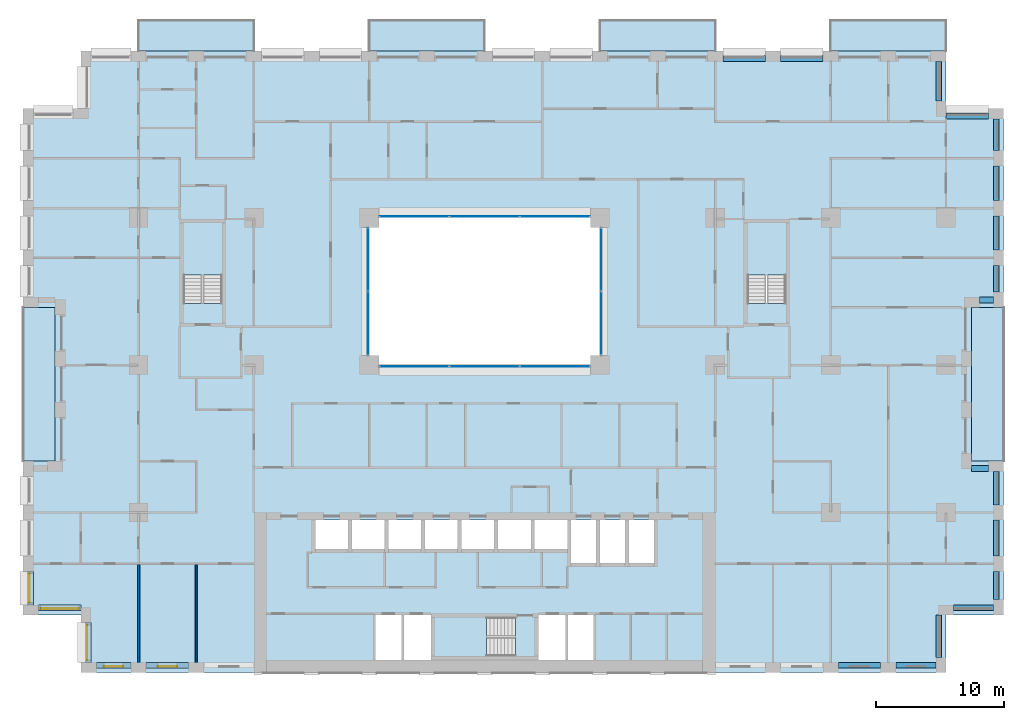
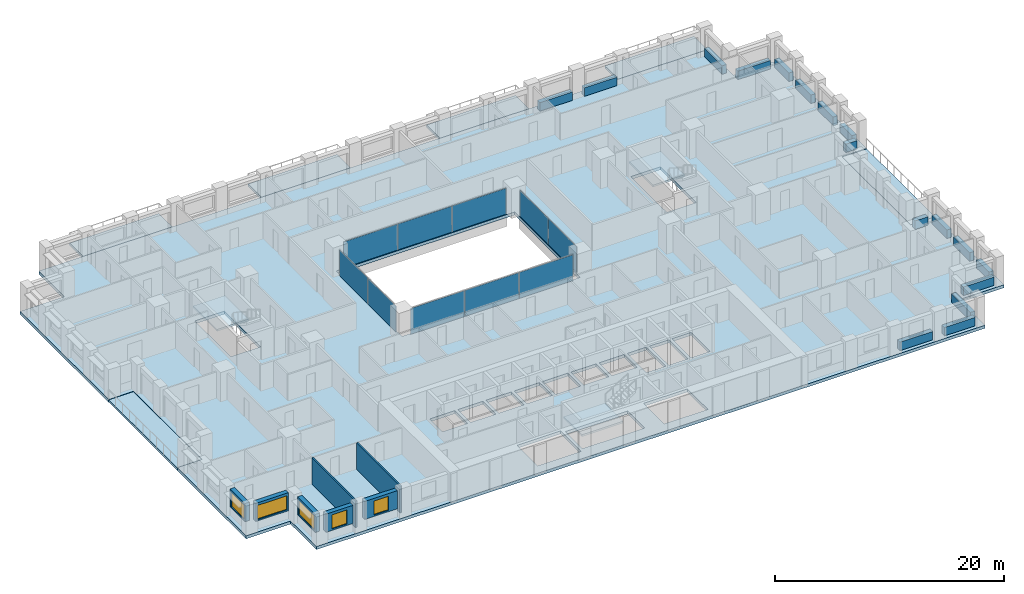
# One storey, part 8 of 20: 17 beams, 10 plates, 10 slabs, 7 walls, 5 windows, 5 openings, 7 elements without a shape of their own.
"""IFC4 building model written with IfcOpenShell, lengths in metres."""

import ifcopenshell
import ifcopenshell.guid

model = None  # the IFC model being written
_history = None  # IfcOwnerHistory: only IFC2X3 demands one
_inside = {}  # id of a spatial element -> (the spatial element, [elements in it])
_under = {}  # id of a project, library or spatial element -> (it, [spatial elements below it])
_declared = {}  # id of a project -> (the project, [libraries it declares])
_typed = {}  # id of a type object -> (the type object, [elements of that type])
_made_of = {}  # id of a material, layer set ... -> (it, [elements and type objects made of it])


def new_model(schema):
    """Start an empty IFC model of exactly this schema.

    Asked for "IFC4X3", IfcOpenShell would pick the latest addendum, in which some entities
    have other attributes; the version numbers below select the first issue.
    IFC2X3 requires an IfcOwnerHistory on every rooted entity: one is made here for all.
    """
    global model, _history
    if schema == "IFC4X3":
        model = ifcopenshell.file(schema_version=(4, 3, 0, 0))
    else:
        model = ifcopenshell.file(schema=schema)
    _inside.clear()
    _under.clear()
    _declared.clear()
    _typed.clear()
    _made_of.clear()
    _history = None
    if model.schema == "IFC2X3":
        org = make("IfcOrganization", Name="unknown")
        user = make(
            "IfcPersonAndOrganization",
            ThePerson=make("IfcPerson", FamilyName="unknown"),
            TheOrganization=org,
        )
        app = make(
            "IfcApplication",
            ApplicationDeveloper=org,
            Version="unknown",
            ApplicationFullName="unknown",
            ApplicationIdentifier="unknown",
        )
        _history = make(
            "IfcOwnerHistory",
            OwningUser=user,
            OwningApplication=app,
            ChangeAction="ADDED",
            CreationDate=0,
        )
    return model


def make(cls, **values):
    """One entity of the class cls with the attributes given. An attribute that is None is left unset."""
    return model.create_entity(
        cls, **{name: value for name, value in values.items() if value is not None}
    )


def rooted(cls, **values):
    """An entity with a GlobalId (a new one), such as an element, a storey or a relation."""
    return make(cls, GlobalId=ifcopenshell.guid.new(), OwnerHistory=_history, **values)


def si_unit(unit_type, name, prefix=None):
    """IfcSIUnit, for example si_unit("LENGTHUNIT", "METRE", prefix="MILLI")."""
    return make("IfcSIUnit", UnitType=unit_type, Prefix=prefix, Name=name)


def assignment(units):
    """IfcUnitAssignment: the units of a project."""
    return None if units is None else make("IfcUnitAssignment", Units=units)


def point(xyz):
    """IfcCartesianPoint."""
    return None if xyz is None else make("IfcCartesianPoint", Coordinates=xyz)


def direction(xyz):
    """IfcDirection."""
    return None if xyz is None else make("IfcDirection", DirectionRatios=xyz)


def frame(location, z_axis=None, x_axis=None):
    """IfcAxis2Placement3D, a coordinate frame: its origin and axes. An axis left out is left unset."""
    return make(
        "IfcAxis2Placement3D",
        Location=point(location),
        Axis=direction(z_axis),
        RefDirection=direction(x_axis),
    )


def frame_2d(location, x_axis=None):
    """IfcAxis2Placement2D, a coordinate frame in the plane: its origin and x axis."""
    return make(
        "IfcAxis2Placement2D", Location=point(location), RefDirection=direction(x_axis)
    )


def origin():
    """The frame at (0, 0, 0) with its axes left unset."""
    return frame((0.0, 0.0, 0.0))


def origin_2d():
    """The frame at (0, 0) in the plane with its x axis left unset."""
    return frame_2d((0.0, 0.0))


def place(relative_to, where):
    """IfcLocalPlacement: puts the frame where relative to a parent placement (None: the world)."""
    return make(
        "IfcLocalPlacement", PlacementRelTo=relative_to, RelativePlacement=where
    )


def context(
    kind, dimensions, precision=None, world=None, true_north=None, identifier=None
):
    """IfcGeometricRepresentationContext, for example the 3D "Model" context."""
    return make(
        "IfcGeometricRepresentationContext",
        ContextIdentifier=identifier,
        ContextType=kind,
        CoordinateSpaceDimension=dimensions,
        Precision=precision,
        WorldCoordinateSystem=world,
        TrueNorth=true_north,
    )


def subcontext(parent, identifier, kind, view, scale=None):
    """IfcGeometricRepresentationSubContext, for example "Body" below "Model"."""
    return make(
        "IfcGeometricRepresentationSubContext",
        ContextIdentifier=identifier,
        ContextType=kind,
        ParentContext=parent,
        TargetScale=scale,
        TargetView=view,
    )


def project(units=None, contexts=None):
    """IfcProject with its units and contexts."""
    return rooted(
        "IfcProject",
        Name="project",
        RepresentationContexts=contexts,
        UnitsInContext=assignment(units),
    )


def spatial(cls, under=None, at=None, **own):
    """A site, building, storey or space (cls), placed at a placement, below another one or the project."""
    s = rooted(cls, ObjectPlacement=at, **own)
    if under is not None:
        _under.setdefault(under.id(), (under, []))[1].append(s)
    return s


def polyline(points):
    """IfcPolyline through the points."""
    return make("IfcPolyline", Points=[point(p) for p in points])


def profile(cls, at=None, kind="AREA", **sizes):
    """A parametric profile (cls). Its sizes go by their IFC names, for example OverallWidth=200.0."""
    return make(cls, ProfileType=kind, Position=at, **sizes)


def rectangle(**sizes):
    """IfcRectangleProfileDef."""
    return profile("IfcRectangleProfileDef", **sizes)


def outline(outer, holes=None, kind="AREA"):
    """IfcArbitraryClosedProfileDef: a profile drawn as a closed curve; with holes, ...WithVoids."""
    if holes is None:
        return make("IfcArbitraryClosedProfileDef", ProfileType=kind, OuterCurve=outer)
    return make(
        "IfcArbitraryProfileDefWithVoids",
        ProfileType=kind,
        OuterCurve=outer,
        InnerCurves=holes,
    )


def extrude(swept, where, along, depth):
    """IfcExtrudedAreaSolid: the profile swept, set in the frame where, extruded along a direction by depth."""
    return make(
        "IfcExtrudedAreaSolid",
        SweptArea=swept,
        Position=where,
        ExtrudedDirection=direction(along),
        Depth=depth,
    )


def shape(context_of_items, identifier, shape_type, items):
    """IfcShapeRepresentation: the items that make up one representation, for example the "Body"."""
    return make(
        "IfcShapeRepresentation",
        ContextOfItems=context_of_items,
        RepresentationIdentifier=identifier,
        RepresentationType=shape_type,
        Items=items,
    )


def material(Name=None, Category=None):
    """IfcMaterial."""
    return make("IfcMaterial", Name=Name, Category=Category)


def layer(
    of_material, thickness, ventilated=None, Name=None, Category=None, Priority=None
):
    """IfcMaterialLayer: one layer of a wall or slab, of a material (None: an air gap)."""
    return make(
        "IfcMaterialLayer",
        Material=of_material,
        LayerThickness=thickness,
        IsVentilated=ventilated,
        Name=Name,
        Category=Category,
        Priority=Priority,
    )


def layer_set(layers, Name=None):
    """IfcMaterialLayerSet."""
    return make("IfcMaterialLayerSet", MaterialLayers=layers, LayerSetName=Name)


def material_profile(
    of_material, cross_section, Name=None, Category=None, Priority=None
):
    """IfcMaterialProfile: a cross section and its material."""
    return make(
        "IfcMaterialProfile",
        Name=Name,
        Material=of_material,
        Profile=cross_section,
        Priority=Priority,
        Category=Category,
    )


def profile_set(profiles, Name=None, composite=None):
    """IfcMaterialProfileSet."""
    return make(
        "IfcMaterialProfileSet",
        Name=Name,
        MaterialProfiles=profiles,
        CompositeProfile=composite,
    )


def made_of(thing, what):
    """Note that an element or type object is made of a material, layer set ...; save() writes the relation."""
    if what is not None:
        _made_of.setdefault(what.id(), (what, []))[1].append(thing)
    return thing


def type_object(cls, material=None, **own):
    """A type object (cls), such as IfcWallType, which elements share."""
    return made_of(rooted(cls, **own), material)


def element(
    cls,
    number,
    at=None,
    inside=None,
    cuts=None,
    type_object=None,
    material=None,
    context=None,
    identifier="Body",
    shape_type=None,
    held_by="IfcProductDefinitionShape",
    body=None,
    shapes=None,
    **own,
):
    """One element of the class cls, such as IfcWall. Its Tag is "e" and its number.

    at: its placement. inside: the storey or other place that contains it. cuts: it is an
    opening in that element (IfcRelVoidsElement). A single representation is given by context,
    identifier, shape_type and body (its items); several are given by shapes. held_by: the class
    of the entity that holds the representations. save() writes the other relations.
    """
    e = rooted(cls, Tag="e%d" % number, ObjectPlacement=at, **own)
    if body is not None:
        shapes = [shape(context, identifier, shape_type, body)]
    if shapes is not None:
        e.Representation = make(held_by, Representations=shapes)
    if inside is not None:
        _inside.setdefault(inside.id(), (inside, []))[1].append(e)
    if cuts is not None:
        rooted(
            "IfcRelVoidsElement", RelatingBuildingElement=cuts, RelatedOpeningElement=e
        )
    if type_object is not None:
        _typed.setdefault(type_object.id(), (type_object, []))[1].append(e)
    return made_of(e, material)


def fill(opening, filler):
    """IfcRelFillsElement: the door or window that sits in an opening."""
    return rooted(
        "IfcRelFillsElement",
        RelatingOpeningElement=opening,
        RelatedBuildingElement=filler,
    )


def aggregate(whole, parts):
    """IfcRelAggregates: a whole, such as a stair, and the parts it consists of."""
    return rooted("IfcRelAggregates", RelatingObject=whole, RelatedObjects=parts)


def save(model, path):
    """Write the relations noted so far, then the file.

    IfcRelAggregates (storeys below a building ...), IfcRelContainedInSpatialStructure (elements
    in a storey), IfcRelDefinesByType, IfcRelAssociatesMaterial and IfcRelDeclares: one each for
    every whole, place, type object, material and project.
    """
    for whole, parts in _under.values():
        aggregate(whole, parts)
    for where, things in _inside.values():
        rooted(
            "IfcRelContainedInSpatialStructure",
            RelatedElements=things,
            RelatingStructure=where,
        )
    for kind, things in _typed.values():
        rooted("IfcRelDefinesByType", RelatedObjects=things, RelatingType=kind)
    for what, things in _made_of.values():
        rooted("IfcRelAssociatesMaterial", RelatedObjects=things, RelatingMaterial=what)
    for by, libraries in _declared.values():
        rooted("IfcRelDeclares", RelatingContext=by, RelatedDefinitions=libraries)
    model.write(path)


model = new_model("IFC4")

# Units and contexts
model_context = context("Model", 3, precision=1e-05, world=origin(), true_north=direction((0.0, 1.0)))
body_context = subcontext(model_context, "Body", "Model", "MODEL_VIEW")
ifc_project = project(units=[si_unit("LENGTHUNIT", "METRE"), si_unit("AREAUNIT", "SQUARE_METRE"), si_unit("VOLUMEUNIT", "CUBIC_METRE"), si_unit("PLANEANGLEUNIT", "RADIAN"), si_unit("MASSUNIT", "GRAM", prefix="KILO")], contexts=[model_context])

# Site, building, storey
site_placement = place(None, origin())
site = spatial("IfcSite", under=ifc_project, at=site_placement, CompositionType="ELEMENT")
building_placement = place(site_placement, origin())
building = spatial("IfcBuilding", under=site, at=building_placement, Name="Brigalow Station Residences", CompositionType="ELEMENT")
storey_placement = place(building_placement, frame((0.0, 0.0, 60.449951171875)))
storey = spatial("IfcBuildingStorey", under=building, at=storey_placement, Name="L17", CompositionType="ELEMENT", Elevation=60.449951171875)

# Beams
ifc_material_1 = material(Name="Concrete C65", Category="concrete")
ifc_material_profile = material_profile(ifc_material_1, rectangle(XDim=0.449951171875, YDim=0.89990234375, at=origin_2d()), Name="RC450x900")
ifc_profile_set = profile_set([ifc_material_profile], Name="Concrete C65")
beam_type = type_object("IfcBeamType", Name="SPANDREL BEAM 450x900 C65", PredefinedType="SPANDREL", material=ifc_profile_set)
beam_1_placement = place(storey_placement, frame((63.60009765625, 0.574951171875, 0.449951171875), z_axis=(1.0, 0.0, 0.0), x_axis=(0.0, 1.0, 0.0)))
element("IfcBeam", 1, at=beam_1_placement, inside=storey, type_object=beam_type, Name="L17/spandrel/W-L17-7", PredefinedType="SPANDREL", context=body_context, shape_type="SweptSolid", body=[
    extrude(rectangle(XDim=0.449951171875, YDim=0.89990234375, at=origin_2d()), origin(), (0.0, 0.0, 1.0), 3.2998046875),
])
beam_2_placement = place(storey_placement, frame((68.10009765625, 0.574951171875, 0.449951171875), z_axis=(1.0, 0.0, 0.0), x_axis=(0.0, 1.0, 0.0)))
element("IfcBeam", 2, at=beam_2_placement, inside=storey, type_object=beam_type, Name="L17/spandrel/W-L17-8", PredefinedType="SPANDREL", context=body_context, shape_type="SweptSolid", body=[
    extrude(rectangle(XDim=0.449951171875, YDim=0.89990234375, at=origin_2d()), origin(), (0.0, 0.0, 1.0), 3.099853515625),
])
beam_3_placement = place(storey_placement, frame((71.425048828125, 1.199951171875, 0.449951171875), z_axis=(0.0, 1.0, 0.0), x_axis=(-1.0, 0.0, 0.0)))
element("IfcBeam", 3, at=beam_3_placement, inside=storey, type_object=beam_type, Name="L17/spandrel/W-L17-9", PredefinedType="SPANDREL", context=body_context, shape_type="SweptSolid", body=[
    extrude(rectangle(XDim=0.449951171875, YDim=0.89990234375, at=origin_2d()), origin(), (0.0, 0.0, 1.0), 3.300048828125),
])
beam_4_placement = place(storey_placement, frame((72.60009765625, 5.074951171875, 0.449951171875), z_axis=(1.0, 0.0, 0.0), x_axis=(0.0, 1.0, 0.0)))
element("IfcBeam", 4, at=beam_4_placement, inside=storey, type_object=beam_type, Name="L17/spandrel/W-L17-10", PredefinedType="SPANDREL", context=body_context, shape_type="SweptSolid", body=[
    extrude(rectangle(XDim=0.449951171875, YDim=0.89990234375, at=origin_2d()), origin(), (0.0, 0.0, 1.0), 3.099853515625),
])
beam_5_placement = place(storey_placement, frame((75.925048828125, 5.699951171875, 0.449951171875), z_axis=(0.0, 1.0, 0.0), x_axis=(-1.0, 0.0, 0.0)))
element("IfcBeam", 5, at=beam_5_placement, inside=storey, type_object=beam_type, Name="L17/spandrel/W-L17-11", PredefinedType="SPANDREL", context=body_context, shape_type="SweptSolid", body=[
    extrude(rectangle(XDim=0.449951171875, YDim=0.89990234375, at=origin_2d()), origin(), (0.0, 0.0, 1.0), 2.199951171875),
])
beam_6_placement = place(storey_placement, frame((75.925048828125, 9.10009765625, 0.449951171875), z_axis=(0.0, 1.0, 0.0), x_axis=(-1.0, 0.0, 0.0)))
element("IfcBeam", 6, at=beam_6_placement, inside=storey, type_object=beam_type, Name="L17/spandrel/W-L17-12", PredefinedType="SPANDREL", context=body_context, shape_type="SweptSolid", body=[
    extrude(rectangle(XDim=0.449951171875, YDim=0.89990234375, at=origin_2d()), origin(), (0.0, 0.0, 1.0), 2.7998046875),
])
beam_7_placement = place(storey_placement, frame((75.925048828125, 13.10009765625, 0.449951171875), z_axis=(0.0, 1.0, 0.0), x_axis=(-1.0, 0.0, 0.0)))
element("IfcBeam", 7, at=beam_7_placement, inside=storey, type_object=beam_type, Name="L17/spandrel/W-L17-13", PredefinedType="SPANDREL", context=body_context, shape_type="SweptSolid", body=[
    extrude(rectangle(XDim=0.449951171875, YDim=0.89990234375, at=origin_2d()), origin(), (0.0, 0.0, 1.0), 2.599853515625),
])
beam_8_placement = place(storey_placement, frame((75.300048828125, 15.925048828125, 0.449951171875), z_axis=(-1.0, 0.0, 0.0), x_axis=(0.0, -1.0, 0.0)))
element("IfcBeam", 8, at=beam_8_placement, inside=storey, type_object=beam_type, Name="L17/spandrel/W-L17-14", PredefinedType="SPANDREL", context=body_context, shape_type="SweptSolid", body=[
    extrude(rectangle(XDim=0.449951171875, YDim=0.89990234375, at=origin_2d()), origin(), (0.0, 0.0, 1.0), 1.300048828125),
])
beam_9_placement = place(storey_placement, frame((74.60009765625, 29.074951171875, 0.449951171875), z_axis=(1.0, 0.0, 0.0), x_axis=(0.0, 1.0, 0.0)))
element("IfcBeam", 9, at=beam_9_placement, inside=storey, type_object=beam_type, Name="L17/spandrel/W-L17-18", PredefinedType="SPANDREL", context=body_context, shape_type="SweptSolid", body=[
    extrude(rectangle(XDim=0.449951171875, YDim=0.89990234375, at=origin_2d()), origin(), (0.0, 0.0, 1.0), 1.099853515625),
])
beam_10_placement = place(storey_placement, frame((75.925048828125, 29.699951171875, 0.449951171875), z_axis=(0.0, 1.0, 0.0), x_axis=(-1.0, 0.0, 0.0)))
element("IfcBeam", 10, at=beam_10_placement, inside=storey, type_object=beam_type, Name="L17/spandrel/W-L17-19", PredefinedType="SPANDREL", context=body_context, shape_type="SweptSolid", body=[
    extrude(rectangle(XDim=0.449951171875, YDim=0.89990234375, at=origin_2d()), origin(), (0.0, 0.0, 1.0), 2.074951171875),
])
for number, where, z_axis, x_axis, name in (
    (11, (75.925048828125, 32.97509765625, 0.449951171875), (0.0, 1.0, 0.0), (-1.0, 0.0, 0.0), "L17/spandrel/W-L17-20"),
    (12, (75.925048828125, 36.85009765625, 0.449951171875), (0.0, 1.0, 0.0), (-1.0, 0.0, 0.0), "L17/spandrel/W-L17-21"),
):
    element("IfcBeam", number, at=place(storey_placement, frame(where, z_axis=z_axis, x_axis=x_axis)), inside=storey, type_object=beam_type, Name=name, PredefinedType="SPANDREL", context=body_context, shape_type="SweptSolid", body=[
        extrude(rectangle(XDim=0.449951171875, YDim=0.89990234375, at=origin_2d()), origin(), (0.0, 0.0, 1.0), 2.6748046875),
    ])
beam_11_placement = place(storey_placement, frame((75.925048828125, 40.72509765625, 0.449951171875), z_axis=(0.0, 1.0, 0.0), x_axis=(-1.0, 0.0, 0.0)))
element("IfcBeam", 13, at=beam_11_placement, inside=storey, type_object=beam_type, Name="L17/spandrel/W-L17-22", PredefinedType="SPANDREL", context=body_context, shape_type="SweptSolid", body=[
    extrude(rectangle(XDim=0.449951171875, YDim=0.89990234375, at=origin_2d()), origin(), (0.0, 0.0, 1.0), 2.474853515625),
])
beam_12_placement = place(storey_placement, frame((75.300048828125, 43.425048828125, 0.449951171875), z_axis=(-1.0, 0.0, 0.0), x_axis=(0.0, -1.0, 0.0)))
element("IfcBeam", 14, at=beam_12_placement, inside=storey, type_object=beam_type, Name="L17/spandrel/W-L17-23", PredefinedType="SPANDREL", context=body_context, shape_type="SweptSolid", body=[
    extrude(rectangle(XDim=0.449951171875, YDim=0.89990234375, at=origin_2d()), origin(), (0.0, 0.0, 1.0), 3.300048828125),
])
beam_13_placement = place(storey_placement, frame((71.425048828125, 44.60009765625, 0.449951171875), z_axis=(0.0, 1.0, 0.0), x_axis=(-1.0, 0.0, 0.0)))
element("IfcBeam", 15, at=beam_13_placement, inside=storey, type_object=beam_type, Name="L17/spandrel/W-L17-24", PredefinedType="SPANDREL", context=body_context, shape_type="SweptSolid", body=[
    extrude(rectangle(XDim=0.449951171875, YDim=0.89990234375, at=origin_2d()), origin(), (0.0, 0.0, 1.0), 3.099853515625),
])
for number, where, z_axis, x_axis, name in (
    (16, (62.39990234375, 47.925048828125, 0.449951171875), (-1.0, 0.0, 0.0), (0.0, -1.0, 0.0), "L17/spandrel/W-L17-27"),
    (17, (57.89990234375, 47.925048828125, 0.449951171875), (-1.0, 0.0, 0.0), (0.0, -1.0, 0.0), "L17/spandrel/W-L17-28"),
):
    element("IfcBeam", number, at=place(storey_placement, frame(where, z_axis=z_axis, x_axis=x_axis)), inside=storey, type_object=beam_type, Name=name, PredefinedType="SPANDREL", context=body_context, shape_type="SweptSolid", body=[
        extrude(rectangle(XDim=0.449951171875, YDim=0.89990234375, at=origin_2d()), origin(), (0.0, 0.0, 1.0), 3.2998046875),
    ])

# Curtain wall, plates
ifc_material_2 = material(Name="Aluminium", Category="aluminium")
ifc_layer_1 = layer(ifc_material_2, 0.14990234375)
ifc_layer_set_1 = layer_set([ifc_layer_1], Name="ATRIUM FIRE-RATED GLAZING CURTAIN WALL")
curtain_wall_type = type_object("IfcCurtainWallType", Name="ATRIUM FIRE-RATED GLAZING CURTAIN WALL", PredefinedType="NOTDEFINED", material=ifc_layer_set_1)
curtain_wall_1_placement = place(storey_placement, origin())
curtain_wall_1 = element("IfcCurtainWall", 18, at=curtain_wall_1_placement, inside=storey, type_object=curtain_wall_type, Name="L17/cw/atrium-S", PredefinedType="NOTDEFINED")
ifc_material_3 = material(Name="Fire-resisting laminated glazing, FRL -/60/-", Category="glass")
ifc_layer_2 = layer(ifc_material_3, 0.031982421875)
ifc_layer_set_2 = layer_set([ifc_layer_2], Name="ATRIUM FIRE-RATED GLAZING PANEL 32")
plate_type = type_object("IfcPlateType", Name="ATRIUM FIRE-RATED GLAZING PANEL 32", PredefinedType="CURTAIN_PANEL", material=ifc_layer_set_2)
plate_1_placement = place(storey_placement, frame((30.514892578125, 23.89990234375, 0.0), z_axis=(0.0, 0.0, 1.0), x_axis=(1.0, 0.0, 0.0)))
plate_1 = element("IfcPlate", 19, at=plate_1_placement, type_object=plate_type, Name="L17/cw/atrium-S/P00-00", PredefinedType="CURTAIN_PANEL", context=body_context, shape_type="SweptSolid", body=[
    extrude(rectangle(XDim=5.409912109375, YDim=0.031982421875, at=origin_2d()), origin(), (0.0, 0.0, 1.0), 2.77001953125),
])
plate_2_placement = place(storey_placement, frame((36.0, 23.89990234375, 0.0), z_axis=(0.0, 0.0, 1.0), x_axis=(1.0, 0.0, 0.0)))
plate_2 = element("IfcPlate", 20, at=plate_2_placement, type_object=plate_type, Name="L17/cw/atrium-S/P01-00", PredefinedType="CURTAIN_PANEL", context=body_context, shape_type="SweptSolid", body=[
    extrude(rectangle(XDim=5.43994140625, YDim=0.031982421875, at=origin_2d()), origin(), (0.0, 0.0, 1.0), 2.77001953125),
])
plate_3_placement = place(storey_placement, frame((41.485107421875, 23.89990234375, 0.0), z_axis=(0.0, 0.0, 1.0), x_axis=(1.0, 0.0, 0.0)))
plate_3 = element("IfcPlate", 21, at=plate_3_placement, type_object=plate_type, Name="L17/cw/atrium-S/P02-00", PredefinedType="CURTAIN_PANEL", context=body_context, shape_type="SweptSolid", body=[
    extrude(rectangle(XDim=5.409912109375, YDim=0.031982421875, at=origin_2d()), origin(), (0.0, 0.0, 1.0), 2.77001953125),
])
aggregate(curtain_wall_1, [plate_1, plate_2, plate_3])

curtain_wall_2_placement = place(storey_placement, origin())
curtain_wall_2 = element("IfcCurtainWall", 22, at=curtain_wall_2_placement, inside=storey, type_object=curtain_wall_type, Name="L17/cw/atrium-E", PredefinedType="NOTDEFINED")
plate_4_placement = place(storey_placement, frame((45.10009765625, 27.264892578125, 0.0), z_axis=(0.0, 0.0, 1.0), x_axis=(0.0, 1.0, 0.0)))
plate_4 = element("IfcPlate", 23, at=plate_4_placement, type_object=plate_type, Name="L17/cw/atrium-E/P00-00", PredefinedType="CURTAIN_PANEL", context=body_context, shape_type="SweptSolid", body=[
    extrude(rectangle(XDim=4.909912109375, YDim=0.031982421875, at=origin_2d()), origin(), (0.0, 0.0, 1.0), 2.77001953125),
])
plate_5_placement = place(storey_placement, frame((45.10009765625, 32.235107421875, 0.0), z_axis=(0.0, 0.0, 1.0), x_axis=(0.0, 1.0, 0.0)))
plate_5 = element("IfcPlate", 24, at=plate_5_placement, type_object=plate_type, Name="L17/cw/atrium-E/P01-00", PredefinedType="CURTAIN_PANEL", context=body_context, shape_type="SweptSolid", body=[
    extrude(rectangle(XDim=4.909912109375, YDim=0.031982421875, at=origin_2d()), origin(), (0.0, 0.0, 1.0), 2.77001953125),
])
aggregate(curtain_wall_2, [plate_4, plate_5])

curtain_wall_3_placement = place(storey_placement, origin())
curtain_wall_3 = element("IfcCurtainWall", 25, at=curtain_wall_3_placement, inside=storey, type_object=curtain_wall_type, Name="L17/cw/atrium-N", PredefinedType="NOTDEFINED")
plate_6_placement = place(storey_placement, frame((41.485107421875, 35.60009765625, 0.0), z_axis=(0.0, 0.0, 1.0), x_axis=(-1.0, 0.0, 0.0)))
plate_6 = element("IfcPlate", 26, at=plate_6_placement, type_object=plate_type, Name="L17/cw/atrium-N/P00-00", PredefinedType="CURTAIN_PANEL", context=body_context, shape_type="SweptSolid", body=[
    extrude(rectangle(XDim=5.409912109375, YDim=0.031982421875, at=origin_2d()), origin(), (0.0, 0.0, 1.0), 2.77001953125),
])
plate_7_placement = place(storey_placement, frame((36.0, 35.60009765625, 0.0), z_axis=(0.0, 0.0, 1.0), x_axis=(-1.0, 0.0, 0.0)))
plate_7 = element("IfcPlate", 27, at=plate_7_placement, type_object=plate_type, Name="L17/cw/atrium-N/P01-00", PredefinedType="CURTAIN_PANEL", context=body_context, shape_type="SweptSolid", body=[
    extrude(rectangle(XDim=5.43994140625, YDim=0.031982421875, at=origin_2d()), origin(), (0.0, 0.0, 1.0), 2.77001953125),
])
plate_8_placement = place(storey_placement, frame((30.514892578125, 35.60009765625, 0.0), z_axis=(0.0, 0.0, 1.0), x_axis=(-1.0, 0.0, 0.0)))
plate_8 = element("IfcPlate", 28, at=plate_8_placement, type_object=plate_type, Name="L17/cw/atrium-N/P02-00", PredefinedType="CURTAIN_PANEL", context=body_context, shape_type="SweptSolid", body=[
    extrude(rectangle(XDim=5.409912109375, YDim=0.031982421875, at=origin_2d()), origin(), (0.0, 0.0, 1.0), 2.77001953125),
])
aggregate(curtain_wall_3, [plate_6, plate_7, plate_8])

curtain_wall_4_placement = place(storey_placement, origin())
curtain_wall_4 = element("IfcCurtainWall", 29, at=curtain_wall_4_placement, inside=storey, type_object=curtain_wall_type, Name="L17/cw/atrium-W", PredefinedType="NOTDEFINED")
plate_9_placement = place(storey_placement, frame((26.89990234375, 32.235107421875, 0.0), z_axis=(0.0, 0.0, 1.0), x_axis=(0.0, -1.0, 0.0)))
plate_9 = element("IfcPlate", 30, at=plate_9_placement, type_object=plate_type, Name="L17/cw/atrium-W/P00-00", PredefinedType="CURTAIN_PANEL", context=body_context, shape_type="SweptSolid", body=[
    extrude(rectangle(XDim=4.909912109375, YDim=0.031982421875, at=origin_2d()), origin(), (0.0, 0.0, 1.0), 2.77001953125),
])
plate_10_placement = place(storey_placement, frame((26.89990234375, 27.264892578125, 0.0), z_axis=(0.0, 0.0, 1.0), x_axis=(0.0, -1.0, 0.0)))
plate_10 = element("IfcPlate", 31, at=plate_10_placement, type_object=plate_type, Name="L17/cw/atrium-W/P01-00", PredefinedType="CURTAIN_PANEL", context=body_context, shape_type="SweptSolid", body=[
    extrude(rectangle(XDim=4.909912109375, YDim=0.031982421875, at=origin_2d()), origin(), (0.0, 0.0, 1.0), 2.77001953125),
])
aggregate(curtain_wall_4, [plate_9, plate_10])

# Slabs
ifc_material_4 = material(Name="Concrete C50 precast", Category="concrete")
ifc_layer_3 = layer(ifc_material_4, 0.25)
ifc_layer_set_3 = layer_set([ifc_layer_3], Name="BALCONY SLAB 250")
slab_type_1 = type_object("IfcSlabType", Name="BALCONY SLAB 250", PredefinedType="USERDEFINED", material=ifc_layer_set_3)
slab_1_placement = place(storey_placement, frame((0.0, 0.0, -0.2900390625)))
element("IfcSlab", 32, at=slab_1_placement, inside=storey, type_object=slab_type_1, Name="L17/balcony/1", ObjectType="BALCONY", PredefinedType="USERDEFINED", context=body_context, shape_type="SweptSolid", body=[
    extrude(outline(polyline([(74.0, 16.5), (76.5, 16.5), (76.5, 28.5), (74.0, 28.5), (74.0, 16.5)])), origin(), (0.0, 0.0, 1.0), 0.25),
])
slab_2_placement = place(storey_placement, frame((0.0, 0.0, -0.2900390625)))
element("IfcSlab", 33, at=slab_2_placement, inside=storey, type_object=slab_type_1, Name="L17/balcony/2", ObjectType="BALCONY", PredefinedType="USERDEFINED", context=body_context, shape_type="SweptSolid", body=[
    extrude(outline(polyline([(72.0, 48.5), (72.0, 50.89990234375), (63.0, 50.89990234375), (63.0, 48.5), (72.0, 48.5)])), origin(), (0.0, 0.0, 1.0), 0.25),
])
slab_3_placement = place(storey_placement, frame((0.0, 0.0, -0.2900390625)))
element("IfcSlab", 34, at=slab_3_placement, inside=storey, type_object=slab_type_1, Name="L17/balcony/3", ObjectType="BALCONY", PredefinedType="USERDEFINED", context=body_context, shape_type="SweptSolid", body=[
    extrude(outline(polyline([(54.0, 48.5), (54.0, 50.89990234375), (45.0, 50.89990234375), (45.0, 48.5), (54.0, 48.5)])), origin(), (0.0, 0.0, 1.0), 0.25),
])
slab_4_placement = place(storey_placement, frame((0.0, 0.0, -0.2900390625)))
element("IfcSlab", 35, at=slab_4_placement, inside=storey, type_object=slab_type_1, Name="L17/balcony/4", ObjectType="BALCONY", PredefinedType="USERDEFINED", context=body_context, shape_type="SweptSolid", body=[
    extrude(outline(polyline([(36.0, 48.5), (36.0, 50.89990234375), (27.0, 50.89990234375), (27.0, 48.5), (36.0, 48.5)])), origin(), (0.0, 0.0, 1.0), 0.25),
])
slab_5_placement = place(storey_placement, frame((0.0, 0.0, -0.2900390625)))
element("IfcSlab", 36, at=slab_5_placement, inside=storey, type_object=slab_type_1, Name="L17/balcony/5", ObjectType="BALCONY", PredefinedType="USERDEFINED", context=body_context, shape_type="SweptSolid", body=[
    extrude(outline(polyline([(18.0, 48.5), (18.0, 50.89990234375), (9.0, 50.89990234375), (9.0, 48.5), (18.0, 48.5)])), origin(), (0.0, 0.0, 1.0), 0.25),
])
slab_6_placement = place(storey_placement, frame((0.0, 0.0, -0.2900390625)))
element("IfcSlab", 37, at=slab_6_placement, inside=storey, type_object=slab_type_1, Name="L17/balcony/6", ObjectType="BALCONY", PredefinedType="USERDEFINED", context=body_context, shape_type="SweptSolid", body=[
    extrude(outline(polyline([(2.5, 28.5), (0.0, 28.5), (0.0, 16.5), (2.5, 16.5), (2.5, 28.5)])), origin(), (0.0, 0.0, 1.0), 0.25),
])
ifc_material_5 = material(Name="Concrete C50", Category="concrete")
ifc_layer_4 = layer(ifc_material_5, 0.320068359375)
ifc_layer_set_4 = layer_set([ifc_layer_4], Name="POST-TENSIONED FLAT PLATE 320 C50")
slab_type_2 = type_object("IfcSlabType", Name="POST-TENSIONED FLAT PLATE 320 C50", PredefinedType="FLOOR", material=ifc_layer_set_4)
slab_7_placement = place(storey_placement, frame((0.0, 0.0, -0.320068359375)))
element("IfcSlab", 38, at=slab_7_placement, inside=storey, type_object=slab_type_2, Name="FLOOR SLAB L17", PredefinedType="FLOOR", context=body_context, shape_type="SweptSolid", body=[
    extrude(outline(polyline([(4.5, 0.0), (72.0, 0.0), (72.0, 4.5), (76.5, 4.5), (76.5, 16.5), (74.0, 16.5), (74.0, 28.5), (76.5, 28.5), (76.5, 44.0), (72.0, 44.0), (72.0, 48.5), (4.5, 48.5), (4.5, 44.0), (0.0, 44.0), (0.0, 28.5), (2.5, 28.5), (2.5, 16.5), (0.0, 16.5), (0.0, 4.5), (4.5, 4.5), (4.5, 0.0)]), holes=[polyline([(15.4951171875, 35.094970703125), (15.4951171875, 28.804931640625), (12.5048828125, 28.804931640625), (12.5048828125, 35.094970703125), (15.4951171875, 35.094970703125)]), polyline([(22.800048828125, 11.89990234375), (25.35009765625, 11.89990234375), (25.35009765625, 9.64990234375), (22.800048828125, 9.64990234375), (22.800048828125, 11.89990234375)]), polyline([(25.64990234375, 11.89990234375), (28.199951171875, 11.89990234375), (28.199951171875, 9.64990234375), (25.64990234375, 9.64990234375), (25.64990234375, 11.89990234375)]), polyline([(28.5, 11.89990234375), (31.050048828125, 11.89990234375), (31.050048828125, 9.64990234375), (28.5, 9.64990234375), (28.5, 11.89990234375)]), polyline([(29.60009765625, 1.0), (27.39990234375, 1.0), (27.39990234375, 4.60009765625), (29.60009765625, 4.60009765625), (31.800048828125, 4.60009765625), (31.800048828125, 1.0), (29.60009765625, 1.0)]), polyline([(31.35009765625, 11.89990234375), (33.89990234375, 11.89990234375), (33.89990234375, 9.64990234375), (31.35009765625, 9.64990234375), (31.35009765625, 11.89990234375)]), polyline([(32.10498046875, 4.294921875), (38.39501953125, 4.294921875), (38.39501953125, 1.304931640625), (32.10498046875, 1.304931640625), (32.10498046875, 4.294921875)]), polyline([(36.75, 11.89990234375), (36.75, 9.64990234375), (34.199951171875, 9.64990234375), (34.199951171875, 11.89990234375), (36.75, 11.89990234375)]), polyline([(37.050048828125, 11.89990234375), (39.60009765625, 11.89990234375), (39.60009765625, 9.64990234375), (37.050048828125, 9.64990234375), (37.050048828125, 11.89990234375)]), polyline([(39.89990234375, 11.89990234375), (42.449951171875, 11.89990234375), (42.449951171875, 9.64990234375), (39.89990234375, 9.64990234375), (39.89990234375, 11.89990234375)]), polyline([(42.39990234375, 1.0), (40.199951171875, 1.0), (40.199951171875, 4.60009765625), (42.39990234375, 4.60009765625), (44.60009765625, 4.60009765625), (44.60009765625, 1.0), (42.39990234375, 1.0)]), polyline([(42.75, 11.89990234375), (44.699951171875, 11.89990234375), (44.699951171875, 8.550048828125), (42.75, 8.550048828125), (42.75, 11.89990234375)]), polyline([(45.0, 11.89990234375), (46.949951171875, 11.89990234375), (46.949951171875, 8.550048828125), (45.0, 8.550048828125), (45.0, 11.89990234375)]), polyline([(45.0, 35.5), (45.0, 24.0), (27.0, 24.0), (27.0, 35.5), (45.0, 35.5)]), polyline([(47.25, 11.89990234375), (49.199951171875, 11.89990234375), (49.199951171875, 8.550048828125), (47.25, 8.550048828125), (47.25, 11.89990234375)]), polyline([(59.4951171875, 35.094970703125), (59.4951171875, 28.804931640625), (56.5048828125, 28.804931640625), (56.5048828125, 35.094970703125), (59.4951171875, 35.094970703125)])]), origin(), (0.0, 0.0, 1.0), 0.320068359375),
])

# Stair, slab
ifc_material_6 = material(Name="Concrete C50", Category="concrete")
stair_type = type_object("IfcStairType", Name="EXIT STAIR 1400 2 FLIGHT", PredefinedType="HALF_TURN_STAIR", material=ifc_material_6)
stair_1_placement = place(storey_placement, origin())
stair_1 = element("IfcStair", 39, at=stair_1_placement, inside=storey, type_object=stair_type, Name="EXIT STAIR S2 L17", PredefinedType="HALF_TURN_STAIR")
ifc_material_7 = material(Name="Concrete C50", Category="concrete")
ifc_layer_5 = layer(ifc_material_7, 0.199951171875)
ifc_layer_set_5 = layer_set([ifc_layer_5], Name="STAIR LANDING 200")
slab_type_3 = type_object("IfcSlabType", Name="STAIR LANDING 200", PredefinedType="LANDING", material=ifc_layer_set_5)
slab_8_placement = place(storey_placement, frame((0.0, 0.0, 1.375)))
slab_8 = element("IfcSlab", 40, at=slab_8_placement, type_object=slab_type_3, Name="ST-2 landing 1", PredefinedType="LANDING", context=body_context, shape_type="SweptSolid", body=[
    extrude(outline(polyline([(32.0, 1.199951171875), (36.159912109375, 1.199951171875), (36.159912109375, 4.39990234375), (32.0, 4.39990234375), (32.0, 1.199951171875)])), origin(), (0.0, 0.0, 1.0), 0.199951171875),
])
aggregate(stair_1, [slab_8])

stair_2_placement = place(storey_placement, origin())
stair_2 = element("IfcStair", 41, at=stair_2_placement, inside=storey, type_object=stair_type, Name="EXIT STAIR S1 L17", PredefinedType="HALF_TURN_STAIR")
slab_9_placement = place(storey_placement, frame((0.0, 0.0, 1.375)))
slab_9 = element("IfcSlab", 42, at=slab_9_placement, type_object=slab_type_3, Name="ST-1 landing 1", PredefinedType="LANDING", context=body_context, shape_type="SweptSolid", body=[
    extrude(outline(polyline([(12.39990234375, 31.0400390625), (15.60009765625, 31.0400390625), (15.60009765625, 35.199951171875), (12.39990234375, 35.199951171875), (12.39990234375, 31.0400390625)])), origin(), (0.0, 0.0, 1.0), 0.199951171875),
])
aggregate(stair_2, [slab_9])

stair_3_placement = place(storey_placement, origin())
stair_3 = element("IfcStair", 43, at=stair_3_placement, inside=storey, type_object=stair_type, Name="EXIT STAIR S3 L17", PredefinedType="HALF_TURN_STAIR")
slab_10_placement = place(storey_placement, frame((0.0, 0.0, 1.375)))
slab_10 = element("IfcSlab", 44, at=slab_10_placement, type_object=slab_type_3, Name="ST-3 landing 1", PredefinedType="LANDING", context=body_context, shape_type="SweptSolid", body=[
    extrude(outline(polyline([(56.39990234375, 31.0400390625), (59.60009765625, 31.0400390625), (59.60009765625, 35.199951171875), (56.39990234375, 35.199951171875), (56.39990234375, 31.0400390625)])), origin(), (0.0, 0.0, 1.0), 0.199951171875),
])
aggregate(stair_3, [slab_10])

# Wall, opening, window
ifc_material_8 = material(Name="Clay brick masonry", Category="masonry")
ifc_layer_6 = layer(ifc_material_8, 0.449951171875)
ifc_layer_set_6 = layer_set([ifc_layer_6], Name="BRICK INFILL WALL 450")
wall_type_1 = type_object("IfcWallType", Name="BRICK INFILL WALL 450", PredefinedType="SOLIDWALL", material=ifc_layer_set_6)
wall_1_placement = place(storey_placement, frame((5.699951171875, 0.574951171875, 0.900146484375), z_axis=(0.0, 0.0, 1.0), x_axis=(1.0, 0.0, 0.0)))
wall_1 = element("IfcWall", 45, at=wall_1_placement, inside=storey, type_object=wall_type_1, Name="L17/ewall/W-L17-1", PredefinedType="SOLIDWALL", context=body_context, shape_type="SweptSolid", body=[
    extrude(rectangle(XDim=2.699951171875, YDim=0.449951171875, at=frame_2d((1.35009765625, 0.0))), origin(), (0.0, 0.0, 1.0), 1.929931640625),
])
opening_1_placement = place(wall_1_placement, frame((0.60009765625, 0.0, 0.14990234375)))
opening_1 = element("IfcOpeningElement", 46, at=opening_1_placement, cuts=wall_1, Name="Opening WT-1", PredefinedType="OPENING", context=body_context, shape_type="SweptSolid", body=[
    extrude(rectangle(XDim=1.5, YDim=1.5, at=frame_2d((0.75, 0.75))), frame((0.0, 0.23486328125, 0.0), z_axis=(0.0, -1.0, 0.0), x_axis=(1.0, 0.0, 0.0)), (0.0, 0.0, 1.0), 0.469970703125),
])
ifc_material_9 = material(Name="Anodised aluminium frame with double glazing", Category="aluminium")
window_type_1 = type_object("IfcWindowType", Name="WINDOW 1500x1500", PartitioningType="SINGLE_PANEL", PredefinedType="WINDOW", material=ifc_material_9)
window_1_placement = place(opening_1_placement, origin())
window_1 = element("IfcWindow", 47, at=window_1_placement, inside=storey, type_object=window_type_1, Name="L17/window/W-L17-1", OverallHeight=1.5, OverallWidth=1.5, PartitioningType="SINGLE_PANEL", PredefinedType="WINDOW", context=body_context, shape_type="SweptSolid", body=[
    extrude(rectangle(XDim=1.5, YDim=1.5, at=frame_2d((0.75, 0.75))), frame((0.0, -0.06494140625, 0.0), z_axis=(0.0, -1.0, 0.0), x_axis=(1.0, 0.0, 0.0)), (0.0, 0.0, 1.0), 0.06005859375),
])
fill(opening_1, window_1)

wall_2_placement = place(storey_placement, frame((9.60009765625, 0.574951171875, 0.900146484375), z_axis=(0.0, 0.0, 1.0), x_axis=(1.0, 0.0, 0.0)))
wall_2 = element("IfcWall", 48, at=wall_2_placement, inside=storey, type_object=wall_type_1, Name="L17/ewall/W-L17-2", PredefinedType="SOLIDWALL", context=body_context, shape_type="SweptSolid", body=[
    extrude(rectangle(XDim=3.2998046875, YDim=0.449951171875, at=frame_2d((1.64990234375, 0.0))), origin(), (0.0, 0.0, 1.0), 1.929931640625),
])
opening_2_placement = place(wall_2_placement, frame((0.89990234375, 0.0, 0.14990234375)))
opening_2 = element("IfcOpeningElement", 49, at=opening_2_placement, cuts=wall_2, Name="Opening WT-1", PredefinedType="OPENING", context=body_context, shape_type="SweptSolid", body=[
    extrude(rectangle(XDim=1.5, YDim=1.5, at=frame_2d((0.75, 0.75))), frame((0.0, 0.23486328125, 0.0), z_axis=(0.0, -1.0, 0.0), x_axis=(1.0, 0.0, 0.0)), (0.0, 0.0, 1.0), 0.469970703125),
])
window_2_placement = place(opening_2_placement, origin())
window_2 = element("IfcWindow", 50, at=window_2_placement, inside=storey, type_object=window_type_1, Name="L17/window/W-L17-2", OverallHeight=1.5, OverallWidth=1.5, PartitioningType="SINGLE_PANEL", PredefinedType="WINDOW", context=body_context, shape_type="SweptSolid", body=[
    extrude(rectangle(XDim=1.5, YDim=1.5, at=frame_2d((0.75, 0.75))), frame((0.0, -0.06494140625, 0.0), z_axis=(0.0, -1.0, 0.0), x_axis=(1.0, 0.0, 0.0)), (0.0, 0.0, 1.0), 0.06005859375),
])
fill(opening_2, window_2)

wall_3_placement = place(storey_placement, frame((0.574951171875, 7.89990234375, 0.900146484375), z_axis=(0.0, 0.0, 1.0), x_axis=(0.0, -1.0, 0.0)))
wall_3 = element("IfcWall", 51, at=wall_3_placement, inside=storey, type_object=wall_type_1, Name="L17/ewall/W-L17-53", PredefinedType="SOLIDWALL", context=body_context, shape_type="SweptSolid", body=[
    extrude(rectangle(XDim=2.599853515625, YDim=0.449951171875, at=frame_2d((1.2998046875, 0.0))), origin(), (0.0, 0.0, 1.0), 1.929931640625),
])
opening_3_placement = place(wall_3_placement, frame((0.175048828125, 0.0, 0.14990234375)))
opening_3 = element("IfcOpeningElement", 52, at=opening_3_placement, cuts=wall_3, Name="Opening WT-6", PredefinedType="OPENING", context=body_context, shape_type="SweptSolid", body=[
    extrude(rectangle(XDim=2.25, YDim=1.5, at=frame_2d((1.125, 0.75))), frame((0.0, 0.23486328125, 0.0), z_axis=(0.0, -1.0, 0.0), x_axis=(1.0, 0.0, 0.0)), (0.0, 0.0, 1.0), 0.469970703125),
])
ifc_material_10 = material(Name="Anodised aluminium frame with double glazing", Category="aluminium")
window_type_2 = type_object("IfcWindowType", Name="WINDOW 2250x1500", PartitioningType="SINGLE_PANEL", PredefinedType="WINDOW", material=ifc_material_10)
window_3_placement = place(opening_3_placement, origin())
window_3 = element("IfcWindow", 53, at=window_3_placement, inside=storey, type_object=window_type_2, Name="L17/window/W-L17-53", OverallHeight=1.5, OverallWidth=2.25, PartitioningType="SINGLE_PANEL", PredefinedType="WINDOW", context=body_context, shape_type="SweptSolid", body=[
    extrude(rectangle(XDim=2.25, YDim=1.5, at=frame_2d((1.125, 0.75))), frame((0.0, -0.06494140625, 0.0), z_axis=(0.0, -1.0, 0.0), x_axis=(1.0, 0.0, 0.0)), (0.0, 0.0, 1.0), 0.06005859375),
])
fill(opening_3, window_3)

wall_4_placement = place(storey_placement, frame((1.199951171875, 5.074951171875, 0.900146484375), z_axis=(0.0, 0.0, 1.0), x_axis=(1.0, 0.0, 0.0)))
wall_4 = element("IfcWall", 54, at=wall_4_placement, inside=storey, type_object=wall_type_1, Name="L17/ewall/W-L17-54", PredefinedType="SOLIDWALL", context=body_context, shape_type="SweptSolid", body=[
    extrude(rectangle(XDim=3.300048828125, YDim=0.449951171875, at=frame_2d((1.64990234375, 0.0))), origin(), (0.0, 0.0, 1.0), 1.929931640625),
])
opening_4_placement = place(wall_4_placement, frame((0.14990234375, 0.0, 0.14990234375)))
opening_4 = element("IfcOpeningElement", 55, at=opening_4_placement, cuts=wall_4, Name="Opening WT-2", PredefinedType="OPENING", context=body_context, shape_type="SweptSolid", body=[
    extrude(rectangle(XDim=3.0, YDim=1.5, at=frame_2d((1.5, 0.75))), frame((0.0, 0.23486328125, 0.0), z_axis=(0.0, -1.0, 0.0), x_axis=(1.0, 0.0, 0.0)), (0.0, 0.0, 1.0), 0.469970703125),
])
ifc_material_11 = material(Name="Anodised aluminium frame with double glazing", Category="aluminium")
window_type_3 = type_object("IfcWindowType", Name="WINDOW 3000x1500", PartitioningType="SINGLE_PANEL", PredefinedType="WINDOW", material=ifc_material_11)
window_4_placement = place(opening_4_placement, origin())
window_4 = element("IfcWindow", 56, at=window_4_placement, inside=storey, type_object=window_type_3, Name="L17/window/W-L17-54", OverallHeight=1.5, OverallWidth=3.0, PartitioningType="SINGLE_PANEL", PredefinedType="WINDOW", context=body_context, shape_type="SweptSolid", body=[
    extrude(rectangle(XDim=3.0, YDim=1.5, at=frame_2d((1.5, 0.75))), frame((0.0, -0.06494140625, 0.0), z_axis=(0.0, -1.0, 0.0), x_axis=(1.0, 0.0, 0.0)), (0.0, 0.0, 1.0), 0.06005859375),
])
fill(opening_4, window_4)

wall_5_placement = place(storey_placement, frame((5.074951171875, 3.89990234375, 0.900146484375), z_axis=(0.0, 0.0, 1.0), x_axis=(0.0, -1.0, 0.0)))
wall_5 = element("IfcWall", 57, at=wall_5_placement, inside=storey, type_object=wall_type_1, Name="L17/ewall/W-L17-55", PredefinedType="SOLIDWALL", context=body_context, shape_type="SweptSolid", body=[
    extrude(rectangle(XDim=3.099853515625, YDim=0.449951171875, at=frame_2d((1.5498046875, 0.0))), origin(), (0.0, 0.0, 1.0), 1.929931640625),
])
opening_5_placement = place(wall_5_placement, frame((0.175048828125, 0.0, 0.14990234375)))
opening_5 = element("IfcOpeningElement", 58, at=opening_5_placement, cuts=wall_5, Name="Opening WT-3", PredefinedType="OPENING", context=body_context, shape_type="SweptSolid", body=[
    extrude(rectangle(XDim=2.75, YDim=1.5, at=frame_2d((1.375, 0.75))), frame((0.0, 0.23486328125, 0.0), z_axis=(0.0, -1.0, 0.0), x_axis=(1.0, 0.0, 0.0)), (0.0, 0.0, 1.0), 0.469970703125),
])
ifc_material_12 = material(Name="Anodised aluminium frame with double glazing", Category="aluminium")
window_type_4 = type_object("IfcWindowType", Name="WINDOW 2750x1500", PartitioningType="SINGLE_PANEL", PredefinedType="WINDOW", material=ifc_material_12)
window_5_placement = place(opening_5_placement, origin())
window_5 = element("IfcWindow", 59, at=window_5_placement, inside=storey, type_object=window_type_4, Name="L17/window/W-L17-55", OverallHeight=1.5, OverallWidth=2.75, PartitioningType="SINGLE_PANEL", PredefinedType="WINDOW", context=body_context, shape_type="SweptSolid", body=[
    extrude(rectangle(XDim=2.75, YDim=1.5, at=frame_2d((1.375, 0.75))), frame((0.0, -0.06494140625, 0.0), z_axis=(0.0, -1.0, 0.0), x_axis=(1.0, 0.0, 0.0)), (0.0, 0.0, 1.0), 0.06005859375),
])
fill(opening_5, window_5)

# Walls
ifc_material_13 = material(Name="Plasterboard on steel stud partition", Category="steel")
ifc_layer_7 = layer(ifc_material_13, 0.14990234375)
ifc_layer_set_7 = layer_set([ifc_layer_7], Name="FLAT PARTITION 150")
wall_type_2 = type_object("IfcWallType", Name="FLAT PARTITION 150", PredefinedType="PARTITIONING", material=ifc_layer_set_7)
for number, where, z_axis, x_axis, name in (
    (60, (9.0, 0.800048828125, 0.0), (0.0, 0.0, 1.0), (0.0, 1.0, 0.0), "PW-1F49"),
    (61, (13.5, 0.800048828125, 0.0), (0.0, 0.0, 1.0), (0.0, 1.0, 0.0), "PW-1F55"),
):
    element("IfcWall", number, at=place(storey_placement, frame(where, z_axis=z_axis, x_axis=x_axis)), inside=storey, type_object=wall_type_2, Name=name, PredefinedType="PARTITIONING", context=body_context, shape_type="SweptSolid", body=[
        extrude(rectangle(XDim=7.625, YDim=0.14990234375, at=frame_2d((3.8125, 0.0))), origin(), (0.0, 0.0, 1.0), 2.830078125),
    ])

save(model, "model.ifc")
